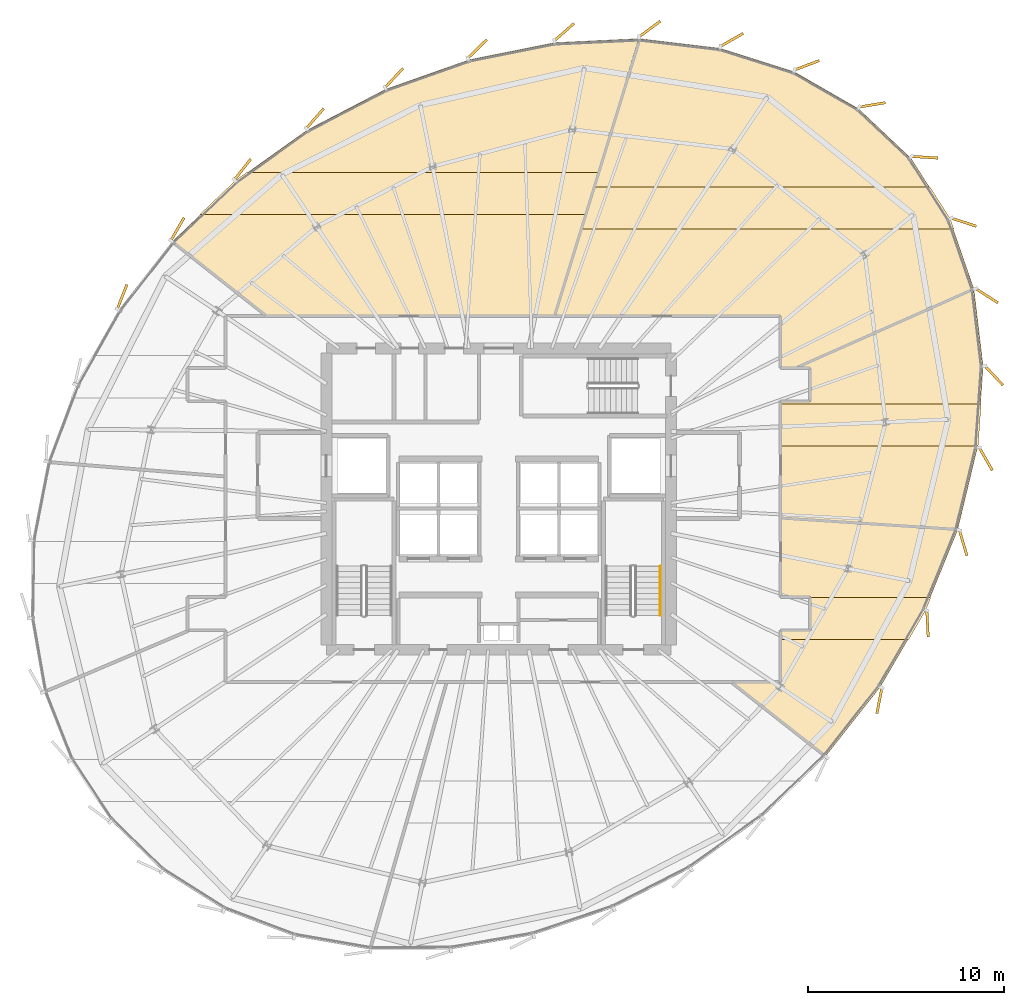
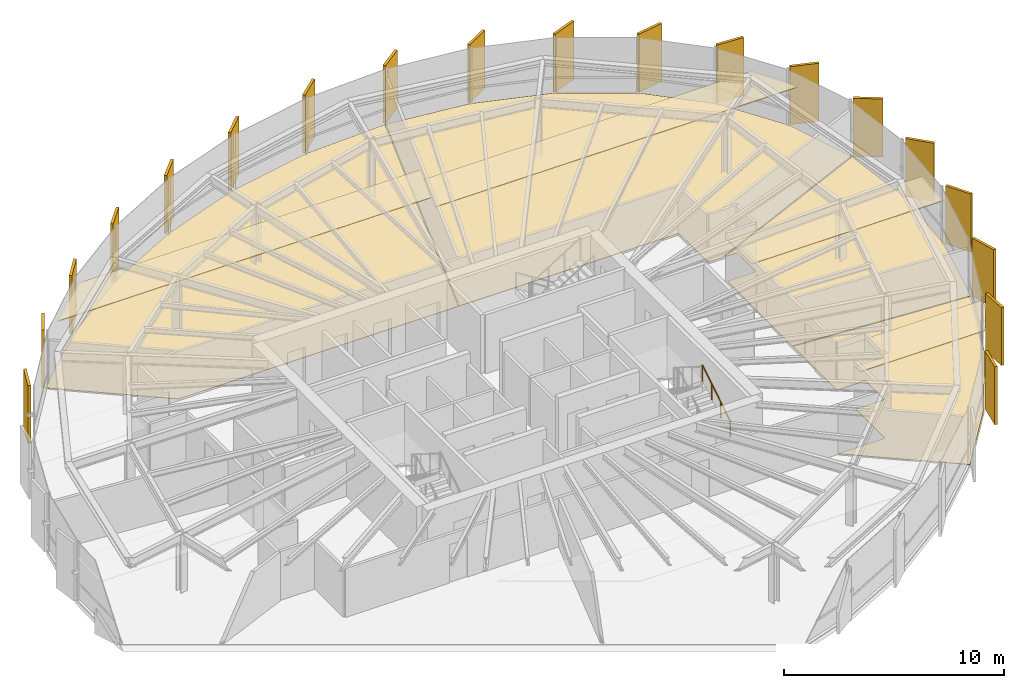
# One storey, part 35 of 35: 27 coverings, 1 railing.
"""IFC4 building model written with IfcOpenShell, lengths in metres."""

from ifc_helpers import new_model, si_unit, direction, frame, origin, origin_2d, place, context, subcontext, project, spatial, polyline, rectangle, circle, outline, extrude, source, transform, mapped, material, layer, layer_set, type_object, element, save


model = new_model("IFC4")

# Units and contexts
model_context = context("Model", 3, precision=1e-05, world=origin(), true_north=direction((0.0, 1.0)))
body_context = subcontext(model_context, "Body", "Model", "MODEL_VIEW")
ifc_project = project(units=[si_unit("LENGTHUNIT", "METRE"), si_unit("AREAUNIT", "SQUARE_METRE"), si_unit("VOLUMEUNIT", "CUBIC_METRE"), si_unit("PLANEANGLEUNIT", "RADIAN"), si_unit("MASSUNIT", "GRAM", prefix="KILO"), si_unit("THERMODYNAMICTEMPERATUREUNIT", "KELVIN")], contexts=[model_context])

# Site, building, storey
site_placement = place(None, origin())
site = spatial("IfcSite", under=ifc_project, at=site_placement, CompositionType="ELEMENT")
building_placement = place(site_placement, origin())
building = spatial("IfcBuilding", under=site, at=building_placement, Name="Kethvar Cultural Tower", CompositionType="ELEMENT")
storey_placement = place(building_placement, frame((0.0, 0.0, 193.89990234375)))
storey = spatial("IfcBuildingStorey", under=building, at=storey_placement, Name="L50", CompositionType="ELEMENT", Elevation=193.89990234375)

# Coverings
ifc_material_1 = material(Name="Acoustic Mineral Fibre Ceiling")
ifc_layer_1 = layer(ifc_material_1, 0.0400390625, Name="Acoustic Mineral Fibre Ceiling")
ifc_layer_set_1 = layer_set([ifc_layer_1], Name="Acoustic Mineral Fibre Ceiling (40 mm)")
covering_type_1 = type_object("IfcCoveringType", Name="CV-ACOUSTIC-CEIL", PredefinedType="CEILING", material=ifc_layer_set_1)
covering_1_placement = place(storey_placement, frame((0.0, 0.0, 2.340087890625)))
element("IfcCovering", 1, at=covering_1_placement, inside=storey, type_object=covering_type_1, Name="L50 Room 03 Acoustic Ceiling Panel", PredefinedType="CEILING", context=body_context, shape_type="SweptSolid", body=[
    extrude(outline(polyline([(68.597900390625, 22.093994140625), (67.746337890625, 20.635009765625), (61.179931640625, 20.635009765625), (61.194091796875, 21.119140625), (62.679931640625, 21.1201171875), (62.679931640625, 22.780029296875), (61.186767578125, 22.784912109375), (68.87890625, 22.784912109375), (68.597900390625, 22.093994140625)])), origin(), (0.0, 0.0, 1.0), 0.0400390625),
])
covering_2_placement = place(storey_placement, frame((0.0, 0.0, 2.340087890625)))
element("IfcCovering", 2, at=covering_2_placement, inside=storey, type_object=covering_type_1, Name="L50 Room 04 Acoustic Ceiling Panel", PredefinedType="CEILING", context=body_context, shape_type="SweptSolid", body=[
    extrude(outline(polyline([(71.29345703125, 30.501220703125), (61.179931640625, 30.501220703125), (61.179931640625, 32.651123046875), (71.443603515625, 32.651123046875), (71.29345703125, 30.501220703125)])), origin(), (0.0, 0.0, 1.0), 0.0400390625),
])
covering_3_placement = place(storey_placement, frame((0.0, 0.0, 2.340087890625)))
element("IfcCovering", 3, at=covering_3_placement, inside=storey, type_object=covering_type_1, Name="L50 Room 05 Acoustic Ceiling Panel", PredefinedType="CEILING", context=body_context, shape_type="SweptSolid", body=[
    extrude(outline(polyline([(51.6455078125, 43.756103515625), (68.826416015625, 43.756103515625), (69.868408203125, 42.125732421875), (70.04833984375, 41.606201171875), (50.989990234375, 41.606201171875), (51.6455078125, 43.756103515625)])), origin(), (0.0, 0.0, 1.0), 0.0400390625),
])
covering_4_placement = place(storey_placement, frame((0.0, 0.0, 2.340087890625)))
element("IfcCovering", 4, at=covering_4_placement, inside=storey, type_object=covering_type_1, Name="L50 Room 06 Acoustic Ceiling Panel", PredefinedType="CEILING", context=body_context, shape_type="SweptSolid", body=[
    extrude(outline(polyline([(33.339599609375, 44.0732421875), (33.931640625, 44.49560546875), (51.9130859375, 44.49560546875), (51.25732421875, 42.345703125), (31.53173828125, 42.345703125), (33.339599609375, 44.0732421875)])), origin(), (0.0, 0.0, 1.0), 0.0400390625),
])
ifc_material_2 = material(Name="Architectural Oak Timber", Category="wood")
ifc_layer_2 = layer(ifc_material_2, 0.02490234375, Name="Architectural Oak Timber", Category="wood")
ifc_layer_set_2 = layer_set([ifc_layer_2], Name="Architectural Oak Timber (25 mm)")
covering_type_2 = type_object("IfcCoveringType", Name="CV-OAK-FLOOR", PredefinedType="FLOORING", material=ifc_layer_set_2)
covering_5_placement = place(storey_placement, origin())
element("IfcCovering", 5, at=covering_5_placement, inside=storey, type_object=covering_type_2, Name="L50 Room 03 Floor Finish", PredefinedType="FLOORING", context=body_context, shape_type="SweptSolid", body=[
    extrude(outline(polyline([(68.5625, 22.113037109375), (66.2880859375, 18.215576171875), (63.500244140625, 14.6796875), (58.73583984375, 18.429931640625), (61.211181640625, 18.433349609375), (61.219970703125, 21.080078125), (62.718994140625, 21.09423828125), (62.715576171875, 22.812744140625), (61.219970703125, 22.820068359375), (61.219970703125, 26.814697265625), (70.22900390625, 26.21142578125), (68.5625, 22.113037109375)])), origin(), (0.0, 0.0, 1.0), 0.025146484375),
])
covering_6_placement = place(storey_placement, origin())
element("IfcCovering", 6, at=covering_6_placement, inside=storey, type_object=covering_type_2, Name="L50 Room 04 Floor Finish", PredefinedType="FLOORING", context=body_context, shape_type="SweptSolid", body=[
    extrude(outline(polyline([(71.538818359375, 34.590576171875), (71.24951171875, 30.444580078125), (70.242431640625, 26.250732421875), (61.219970703125, 26.854736328125), (61.219970703125, 32.780029296875), (62.719970703125, 32.798095703125), (62.718505859375, 34.5078125), (62.063232421875, 34.52001953125), (71.0732421875, 38.499755859375), (71.538818359375, 34.590576171875)])), origin(), (0.0, 0.0, 1.0), 0.025146484375),
])
covering_7_placement = place(storey_placement, origin())
element("IfcCovering", 7, at=covering_7_placement, inside=storey, type_object=covering_type_2, Name="L50 Room 05 Floor Finish", PredefinedType="FLOORING", context=body_context, shape_type="SweptSolid", body=[
    extrude(outline(polyline([(71.065185546875, 38.539794921875), (61.96435546875, 34.52001953125), (61.219970703125, 34.52001953125), (61.203857421875, 37.169677734375), (49.6787109375, 37.169921875), (53.993896484375, 51.319091796875), (58.10595703125, 50.828369140625), (61.88232421875, 49.631103515625), (65.168701171875, 47.74462890625), (67.84814453125, 45.212646484375), (69.83349609375, 42.106201171875), (71.065185546875, 38.539794921875)])), origin(), (0.0, 0.0, 1.0), 0.025146484375),
])
covering_8_placement = place(storey_placement, origin())
element("IfcCovering", 8, at=covering_8_placement, inside=storey, type_object=covering_type_2, Name="L50 Room 06 Floor Finish", PredefinedType="FLOORING", context=body_context, shape_type="SweptSolid", body=[
    extrude(outline(polyline([(33.364013671875, 44.04150390625), (37.02490234375, 46.654296875), (41.037109375, 48.739013671875), (45.29150390625, 50.24267578125), (49.655517578125, 51.11669921875), (53.952392578125, 51.319580078125), (49.636962890625, 37.169921875), (34.951171875, 37.169921875), (30.142333984375, 40.96240234375), (33.364013671875, 44.04150390625)])), origin(), (0.0, 0.0, 1.0), 0.025146484375),
])

# Railing
ifc_material_3 = material(Name="Steel S355J2", Category="steel")
railing_type = type_object("IfcRailingType", Name="RL-STAIR-HANDRAIL", PredefinedType="HANDRAIL", material=ifc_material_3)
railing_placement = place(storey_placement, frame((55.06005859375, 21.85009765625, 0.175048828125)))
element("IfcRailing", 9, at=railing_placement, inside=storey, type_object=railing_type, Name="L50 ST-02 stair handrail 1", PredefinedType="HANDRAIL", context=body_context, shape_type="SweptSolid", body=[
    extrude(circle(Radius=0.02392578125, at=origin_2d()), frame((0.0, 0.0, 0.8759765625), z_axis=(0.0, 0.848007534815, 0.529984170421), x_axis=(-1.0, 0.0, 0.0)), (0.0, 0.0, 1.0), 2.9716796875),
    extrude(circle(Radius=0.02099609375, at=origin_2d()), origin(), (0.0, 0.0, 1.0), 0.851806640625),
    extrude(circle(Radius=0.02099609375, at=origin_2d()), frame((0.0, 0.840087890625, 0.52490234375)), (0.0, 0.0, 1.0), 0.851806640625),
    extrude(circle(Radius=0.02099609375, at=origin_2d()), frame((0.0, 1.679931640625, 1.050048828125)), (0.0, 0.0, 1.0), 0.851806640625),
    extrude(circle(Radius=0.02099609375, at=origin_2d()), frame((0.0, 2.52001953125, 1.574951171875)), (0.0, 0.0, 1.0), 0.851806640625),
])

# Coverings
ifc_material_4 = material(Name="Extruded Architectural Terracotta", Category="masonry")
ifc_layer_3 = layer(ifc_material_4, 0.135009765625, Name="Extruded Architectural Terracotta", Category="masonry")
ifc_layer_set_3 = layer_set([ifc_layer_3], Name="Extruded Architectural Terracotta (135 mm)")
covering_type_3 = type_object("IfcCoveringType", Name="Terracotta Facade Fin FIN-03", PredefinedType="CLADDING", material=ifc_layer_set_3)
shared_shape = source(origin(), body_context, "Body", "SweptSolid", [
    extrude(rectangle(XDim=1.35009765625, YDim=0.135009765625, at=origin_2d()), origin(), (0.0, 0.0, 1.0), 3.219970703125),
])
for number, where, z_axis, x_axis, name in (
    (10, (68.56396484375, 45.2666015625, 0.02001953125), (0.0, 0.0, 1.0), (0.997893031451, -0.064880642578, 0.0), "L50 Vertical Terracotta Fin 1.1"),
    (11, (65.886474609375, 47.94140625, 0.02001953125), (0.0, 0.0, 1.0), (0.986343153931, 0.16470331719, 0.0), "L50 Vertical Terracotta Fin 1.2"),
    (12, (62.546142578125, 49.96435546875, 0.02001953125), (0.0, 0.0, 1.0), (0.935320587845, 0.353801353804, 0.0), "L50 Vertical Terracotta Fin 1.3"),
    (13, (58.7060546875, 51.26171875, 0.02001953125), (0.0, 0.0, 1.0), (0.868717975058, 0.495307056088, 0.0), "L50 Vertical Terracotta Fin 1.4"),
    (14, (54.51904296875, 51.82177734375, 0.02001953125), (0.0, 0.0, 1.0), (0.80437563527, 0.594121062902, 0.0), "L50 Vertical Terracotta Fin 1.5"),
    (15, (50.14453125, 51.660400390625, 0.02001953125), (0.0, 0.0, 1.0), (0.751494471773, 0.659739387103, 0.0), "L50 Vertical Terracotta Fin 1.6"),
    (16, (45.7041015625, 50.797607421875, 0.02001953125), (0.0, 0.0, 1.0), (0.713005742217, 0.701158192968, 0.0), "L50 Vertical Terracotta Fin 2.1"),
    (17, (41.453857421875, 49.32080078125, 0.02001953125), (0.0, 0.0, 1.0), (0.684038023042, 0.729446353773, 0.0), "L50 Vertical Terracotta Fin 2.2"),
    (18, (37.412353515625, 47.244873046875, 0.02001953125), (0.0, 0.0, 1.0), (0.65829540632, 0.752759694735, 0.0), "L50 Vertical Terracotta Fin 2.3"),
    (19, (33.714111328125, 44.64453125, 0.02001953125), (0.0, 0.0, 1.0), (0.61964205304, 0.784884530427, 0.0), "L50 Vertical Terracotta Fin 2.4"),
    (20, (30.386474609375, 41.594970703125, 0.02001953125), (0.0, 0.0, 1.0), (0.500151142331, 0.865938124132, 0.0), "L50 Vertical Terracotta Fin 2.5"),
    (21, (27.55712890625, 38.1328125, 0.02001953125), (0.0, 0.0, 1.0), (0.366176427403, 0.930545444358, 0.0), "L50 Vertical Terracotta Fin 2.6"),
    (22, (66.24609375, 17.501220703125, 0.02001953125), (0.0, 0.0, 1.0), (-0.18909544299, -0.981958712696, 0.0), "L50 Vertical Terracotta Fin 5.6"),
    (23, (68.70458984375, 21.436279296875, 0.02001953125), (0.0, 0.0, 1.0), (0.052335956243, -0.998629534755, 0.0), "L50 Vertical Terracotta Fin 6.1"),
    (24, (70.526611328125, 25.5634765625, 0.02001953125), (0.0, 0.0, 1.0), (0.28301111548, -0.959116629256, 0.0), "L50 Vertical Terracotta Fin 6.2"),
    (25, (71.68408203125, 29.849853515625, 0.02001953125), (0.0, 0.0, 1.0), (0.496064966839, -0.868285407383, 0.0), "L50 Vertical Terracotta Fin 6.3"),
    (26, (72.10107421875, 34.10888671875, 0.02001953125), (0.0, 0.0, 1.0), (0.685437198009, -0.728131751529, 0.0), "L50 Vertical Terracotta Fin 6.4"),
    (27, (71.73388671875, 38.191162109375, 0.02001953125), (0.0, 0.0, 1.0), (0.842076058773, -0.539358796389, 0.0), "L50 Vertical Terracotta Fin 6.5"),
    (28, (70.560546875, 41.948486328125, 0.02001953125), (0.0, 0.0, 1.0), (0.950569940416, -0.310510528609, 0.0), "L50 Vertical Terracotta Fin 6.6"),
):
    element("IfcCovering", number, at=place(storey_placement, frame(where, z_axis=z_axis, x_axis=x_axis)), inside=storey, type_object=covering_type_3, Name=name, PredefinedType="CLADDING", context=body_context, shape_type="MappedRepresentation", body=[
        mapped(shared_shape, transform((0.0, 0.0, 0.0), scale=1.0)),
    ])

save(model, "model.ifc")
